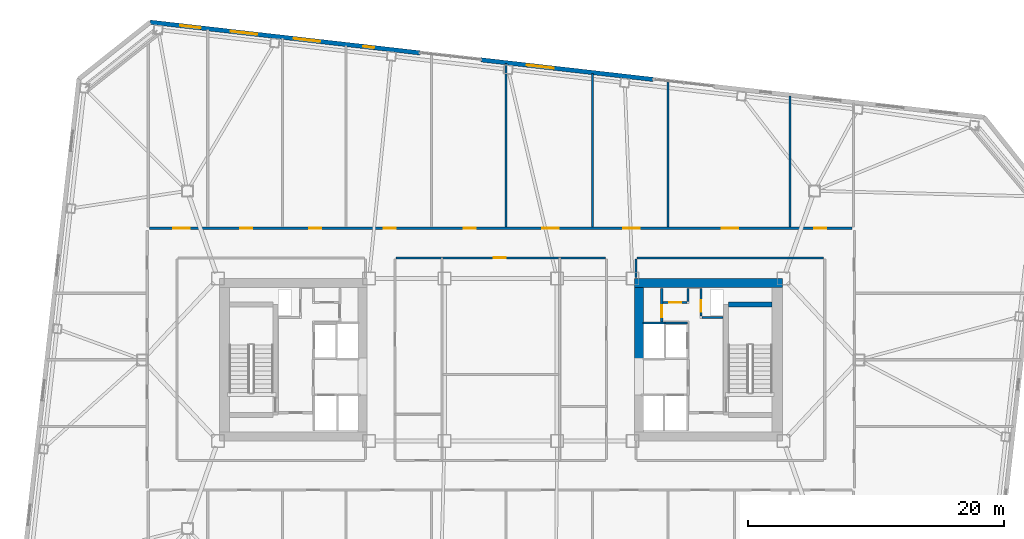
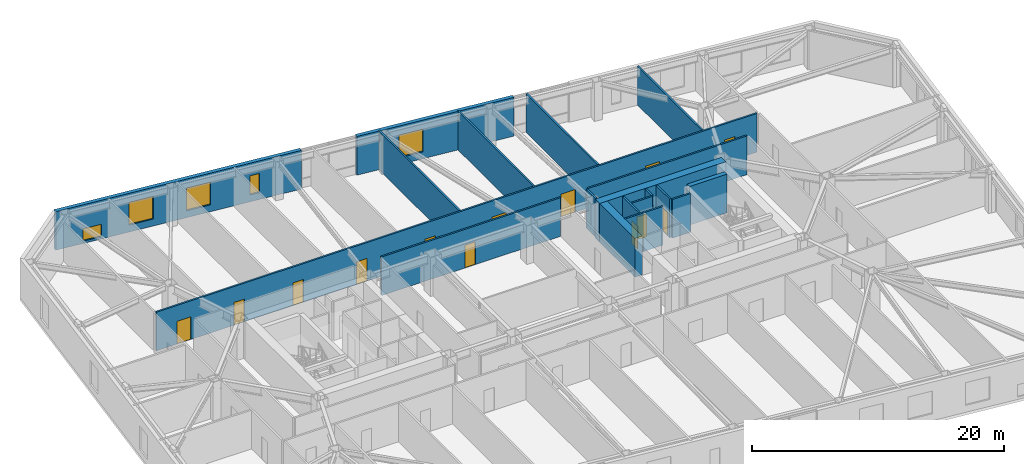
# One storey, part 14 of 21: 20 walls, 13 doors, 5 windows, 18 openings.
"""IFC4 building model written with IfcOpenShell, lengths in metres."""

from ifc_helpers import new_model, si_unit, direction, frame, frame_2d, origin, place, context, subcontext, project, spatial, rectangle, extrude, material, layer, layer_set, type_object, element, fill, save


model = new_model("IFC4")

# Units and contexts
model_context = context("Model", 3, precision=1e-05, world=origin(), true_north=direction((0.0, 1.0)))
body_context = subcontext(model_context, "Body", "Model", "MODEL_VIEW")
ifc_project = project(units=[si_unit("LENGTHUNIT", "METRE"), si_unit("AREAUNIT", "SQUARE_METRE"), si_unit("VOLUMEUNIT", "CUBIC_METRE"), si_unit("PLANEANGLEUNIT", "RADIAN"), si_unit("MASSUNIT", "GRAM", prefix="KILO")], contexts=[model_context])

# Site, building, storey
site_placement = place(None, origin())
site = spatial("IfcSite", under=ifc_project, at=site_placement, CompositionType="ELEMENT")
building_placement = place(site_placement, origin())
building = spatial("IfcBuilding", under=site, at=building_placement, Name="Tavrogorsk Clinical Tower", CompositionType="ELEMENT")
storey_placement = place(building_placement, frame((0.0, 0.0, 129.39990234375)))
storey = spatial("IfcBuildingStorey", under=building, at=storey_placement, Name="L29", CompositionType="ELEMENT", Elevation=129.39990234375)

# Wall, opening, door
ifc_material_1 = material(Name="Lightweight concrete blockwork B15", Category="masonry")
ifc_layer_1 = layer(ifc_material_1, 0.159912109375)
ifc_layer_set_1 = layer_set([ifc_layer_1], Name="Lightweight concrete blockwork B15")
wall_type_1 = type_object("IfcWallType", Name="PartitionWall_160", PredefinedType="PARTITIONING", material=ifc_layer_set_1)
wall_1_placement = place(storey_placement, frame((12.580078125, 2.9599609375, 0.0), z_axis=(0.0, 0.0, 1.0), x_axis=(0.0, 1.0, 0.0)))
wall_1 = element("IfcWall", 1, at=wall_1_placement, inside=storey, type_object=wall_type_1, Name="L29 Core East Linen Closet Wall", PredefinedType="PARTITIONING", context=body_context, shape_type="SweptSolid", body=[
    extrude(rectangle(XDim=2.60009765625, YDim=0.159912109375, at=frame_2d((1.300048828125, 0.0))), origin(), (0.0, 0.0, 1.0), 3.739990234375),
])
opening_1_placement = place(wall_1_placement, frame((0.35009765625, 0.0, 0.0)))
opening_1 = element("IfcOpeningElement", 2, at=opening_1_placement, cuts=wall_1, Name="Opening ID-02", PredefinedType="OPENING", context=body_context, shape_type="SweptSolid", body=[
    extrude(rectangle(XDim=0.949951171875, YDim=2.199951171875, at=frame_2d((0.47509765625, 1.10009765625))), frame((0.0, 0.08984375, 0.0), z_axis=(0.0, -1.0, 0.0), x_axis=(1.0, 0.0, 0.0)), (0.0, 0.0, 1.0), 0.179931640625),
])
ifc_material_2 = material(Name="Laminated timber leaf on aluminium frame", Category="wood")
door_type_1 = type_object("IfcDoorType", Name="InteriorDoor_ID02_950", OperationType="NOTDEFINED", PredefinedType="DOOR", material=ifc_material_2)
door_1_placement = place(opening_1_placement, origin())
door_1 = element("IfcDoor", 3, at=door_1_placement, inside=storey, type_object=door_type_1, Name="L29 Core East Linen Closet Door", OperationType="SINGLE_SWING_RIGHT", OverallHeight=2.199951171875, OverallWidth=0.949951171875, PredefinedType="DOOR", context=body_context, shape_type="SweptSolid", body=[
    extrude(rectangle(XDim=0.949951171875, YDim=2.199951171875, at=frame_2d((0.47509765625, 1.10009765625))), frame((0.0, 0.02490234375, 0.0), z_axis=(0.0, -1.0, 0.0), x_axis=(1.0, 0.0, 0.0)), (0.0, 0.0, 1.0), 0.050048828125),
])
fill(opening_1, door_1)

wall_2_placement = place(storey_placement, frame((12.6650390625, 4.47998046875, 0.0), z_axis=(0.0, 0.0, 1.0), x_axis=(1.0, 0.0, 0.0)))
wall_2 = element("IfcWall", 4, at=wall_2_placement, inside=storey, type_object=wall_type_1, Name="L29 Core East Housekeeping South Wall", PredefinedType="PARTITIONING", context=body_context, shape_type="SweptSolid", body=[
    extrude(rectangle(XDim=1.889892578125, YDim=0.159912109375, at=frame_2d((0.94482421875, 0.0))), origin(), (0.0, 0.0, 1.0), 3.739990234375),
])
opening_2_placement = place(wall_2_placement, frame((0.5, 0.0, 0.0)))
opening_2 = element("IfcOpeningElement", 5, at=opening_2_placement, cuts=wall_2, Name="Opening ID-02", PredefinedType="OPENING", context=body_context, shape_type="SweptSolid", body=[
    extrude(rectangle(XDim=0.949951171875, YDim=2.199951171875, at=frame_2d((0.47509765625, 1.10009765625))), frame((0.0, 0.08984375, 0.0), z_axis=(0.0, -1.0, 0.0), x_axis=(1.0, 0.0, 0.0)), (0.0, 0.0, 1.0), 0.179931640625),
])
door_2_placement = place(opening_2_placement, origin())
door_2 = element("IfcDoor", 6, at=door_2_placement, inside=storey, type_object=door_type_1, Name="L29 Core East Housekeeping Closet Door", OperationType="SINGLE_SWING_LEFT", OverallHeight=2.199951171875, OverallWidth=0.949951171875, PredefinedType="DOOR", context=body_context, shape_type="SweptSolid", body=[
    extrude(rectangle(XDim=0.949951171875, YDim=2.199951171875, at=frame_2d((0.47509765625, 1.10009765625))), frame((0.0, 0.02490234375, 0.0), z_axis=(0.0, -1.0, 0.0), x_axis=(1.0, 0.0, 0.0)), (0.0, 0.0, 1.0), 0.050048828125),
])
fill(opening_2, door_2)

# Wall
wall_3_placement = place(storey_placement, frame((14.639892578125, 4.56494140625, 0.0), z_axis=(0.0, 0.0, 1.0), x_axis=(0.0, 1.0, 0.0)))
element("IfcWall", 7, at=wall_3_placement, inside=storey, type_object=wall_type_1, Name="L29 Core East Housekeeping East Wall", PredefinedType="PARTITIONING", context=body_context, shape_type="SweptSolid", body=[
    extrude(rectangle(XDim=0.9951171875, YDim=0.159912109375, at=frame_2d((0.49755859375, 0.0))), origin(), (0.0, 0.0, 1.0), 3.739990234375),
])

# Wall, openings, doors
wall_4_placement = place(storey_placement, frame((-27.465087890625, 10.280029296875, 0.0), z_axis=(0.0, 0.0, 1.0), x_axis=(1.0, 0.0, 0.0)))
wall_4 = element("IfcWall", 8, at=wall_4_placement, inside=storey, type_object=wall_type_1, Name="L29 Corridor Partition 02", PredefinedType="PARTITIONING", context=body_context, shape_type="SweptSolid", body=[
    extrude(rectangle(XDim=54.93017578125, YDim=0.159912109375, at=frame_2d((27.465087890625, 0.0))), origin(), (0.0, 0.0, 1.0), 3.739990234375),
])
opening_3_placement = place(wall_4_placement, frame((1.869140625, 0.0, 0.0)))
opening_3 = element("IfcOpeningElement", 9, at=opening_3_placement, cuts=wall_4, Name="Opening ID-01", PredefinedType="OPENING", context=body_context, shape_type="SweptSolid", body=[
    extrude(rectangle(XDim=1.300048828125, YDim=2.199951171875, at=frame_2d((0.64990234375, 1.10009765625))), frame((0.0, 0.08984375, 0.0), z_axis=(0.0, -1.0, 0.0), x_axis=(1.0, 0.0, 0.0)), (0.0, 0.0, 1.0), 0.179931640625),
])
opening_4_placement = place(wall_4_placement, frame((7.10009765625, 0.0, 0.0)))
opening_4 = element("IfcOpeningElement", 10, at=opening_4_placement, cuts=wall_4, Name="Opening ID-02", PredefinedType="OPENING", context=body_context, shape_type="SweptSolid", body=[
    extrude(rectangle(XDim=0.949951171875, YDim=2.199951171875, at=frame_2d((0.47509765625, 1.10009765625))), frame((0.0, 0.08984375, 0.0), z_axis=(0.0, -1.0, 0.0), x_axis=(1.0, 0.0, 0.0)), (0.0, 0.0, 1.0), 0.179931640625),
])
opening_5_placement = place(wall_4_placement, frame((12.5, 0.0, 0.0)))
opening_5 = element("IfcOpeningElement", 11, at=opening_5_placement, cuts=wall_4, Name="Opening ID-02", PredefinedType="OPENING", context=body_context, shape_type="SweptSolid", body=[
    extrude(rectangle(XDim=0.949951171875, YDim=2.199951171875, at=frame_2d((0.47509765625, 1.10009765625))), frame((0.0, 0.08984375, 0.0), z_axis=(0.0, -1.0, 0.0), x_axis=(1.0, 0.0, 0.0)), (0.0, 0.0, 1.0), 0.179931640625),
])
opening_6_placement = place(wall_4_placement, frame((18.324951171875, 0.0, 0.0)))
opening_6 = element("IfcOpeningElement", 12, at=opening_6_placement, cuts=wall_4, Name="Opening ID-02", PredefinedType="OPENING", context=body_context, shape_type="SweptSolid", body=[
    extrude(rectangle(XDim=0.949951171875, YDim=2.199951171875, at=frame_2d((0.47509765625, 1.10009765625))), frame((0.0, 0.08984375, 0.0), z_axis=(0.0, -1.0, 0.0), x_axis=(1.0, 0.0, 0.0)), (0.0, 0.0, 1.0), 0.179931640625),
])
opening_7_placement = place(wall_4_placement, frame((24.574951171875, 0.0, 0.0)))
opening_7 = element("IfcOpeningElement", 13, at=opening_7_placement, cuts=wall_4, Name="Opening ID-02", PredefinedType="OPENING", context=body_context, shape_type="SweptSolid", body=[
    extrude(rectangle(XDim=0.949951171875, YDim=2.199951171875, at=frame_2d((0.47509765625, 1.10009765625))), frame((0.0, 0.08984375, 0.0), z_axis=(0.0, -1.0, 0.0), x_axis=(1.0, 0.0, 0.0)), (0.0, 0.0, 1.0), 0.179931640625),
])
opening_8_placement = place(wall_4_placement, frame((30.68994140625, 0.0, 0.0)))
opening_8 = element("IfcOpeningElement", 14, at=opening_8_placement, cuts=wall_4, Name="Opening ID-01", PredefinedType="OPENING", context=body_context, shape_type="SweptSolid", body=[
    extrude(rectangle(XDim=1.300048828125, YDim=2.199951171875, at=frame_2d((0.64990234375, 1.10009765625))), frame((0.0, 0.08984375, 0.0), z_axis=(0.0, -1.0, 0.0), x_axis=(1.0, 0.0, 0.0)), (0.0, 0.0, 1.0), 0.179931640625),
])
opening_9_placement = place(wall_4_placement, frame((37.02001953125, 0.0, 0.0)))
opening_9 = element("IfcOpeningElement", 15, at=opening_9_placement, cuts=wall_4, Name="Opening ID-01", PredefinedType="OPENING", context=body_context, shape_type="SweptSolid", body=[
    extrude(rectangle(XDim=1.300048828125, YDim=2.199951171875, at=frame_2d((0.64990234375, 1.10009765625))), frame((0.0, 0.08984375, 0.0), z_axis=(0.0, -1.0, 0.0), x_axis=(1.0, 0.0, 0.0)), (0.0, 0.0, 1.0), 0.179931640625),
])
opening_10_placement = place(wall_4_placement, frame((44.72998046875, 0.0, 0.0)))
opening_10 = element("IfcOpeningElement", 16, at=opening_10_placement, cuts=wall_4, Name="Opening ID-01", PredefinedType="OPENING", context=body_context, shape_type="SweptSolid", body=[
    extrude(rectangle(XDim=1.300048828125, YDim=2.199951171875, at=frame_2d((0.64990234375, 1.10009765625))), frame((0.0, 0.08984375, 0.0), z_axis=(0.0, -1.0, 0.0), x_axis=(1.0, 0.0, 0.0)), (0.0, 0.0, 1.0), 0.179931640625),
])
opening_11_placement = place(wall_4_placement, frame((51.955810546875, 0.0, 0.0)))
opening_11 = element("IfcOpeningElement", 17, at=opening_11_placement, cuts=wall_4, Name="Opening ID-02", PredefinedType="OPENING", context=body_context, shape_type="SweptSolid", body=[
    extrude(rectangle(XDim=0.949951171875, YDim=2.199951171875, at=frame_2d((0.47509765625, 1.10009765625))), frame((0.0, 0.08984375, 0.0), z_axis=(0.0, -1.0, 0.0), x_axis=(1.0, 0.0, 0.0)), (0.0, 0.0, 1.0), 0.179931640625),
])
door_3_placement = place(opening_4_placement, origin())
door_3 = element("IfcDoor", 18, at=door_3_placement, inside=storey, type_object=door_type_1, Name="L29 North Physician Consultation Office 02A Door", OperationType="SINGLE_SWING_RIGHT", OverallHeight=2.199951171875, OverallWidth=0.949951171875, PredefinedType="DOOR", context=body_context, shape_type="SweptSolid", body=[
    extrude(rectangle(XDim=0.949951171875, YDim=2.199951171875, at=frame_2d((0.47509765625, 1.10009765625))), frame((0.0, 0.02490234375, 0.0), z_axis=(0.0, -1.0, 0.0), x_axis=(1.0, 0.0, 0.0)), (0.0, 0.0, 1.0), 0.050048828125),
])
fill(opening_4, door_3)
door_4_placement = place(opening_5_placement, origin())
door_4 = element("IfcDoor", 19, at=door_4_placement, inside=storey, type_object=door_type_1, Name="L29 North Diagnostic Ultrasound Suite 02B Door", OperationType="SINGLE_SWING_LEFT", OverallHeight=2.199951171875, OverallWidth=0.949951171875, PredefinedType="DOOR", context=body_context, shape_type="SweptSolid", body=[
    extrude(rectangle(XDim=0.949951171875, YDim=2.199951171875, at=frame_2d((0.47509765625, 1.10009765625))), frame((0.0, 0.02490234375, 0.0), z_axis=(0.0, -1.0, 0.0), x_axis=(1.0, 0.0, 0.0)), (0.0, 0.0, 1.0), 0.050048828125),
])
fill(opening_5, door_4)
door_5_placement = place(opening_6_placement, origin())
door_5 = element("IfcDoor", 20, at=door_5_placement, inside=storey, type_object=door_type_1, Name="L29 North Patient & Family Quiet Lounge 03A Door", OperationType="SINGLE_SWING_RIGHT", OverallHeight=2.199951171875, OverallWidth=0.949951171875, PredefinedType="DOOR", context=body_context, shape_type="SweptSolid", body=[
    extrude(rectangle(XDim=0.949951171875, YDim=2.199951171875, at=frame_2d((0.47509765625, 1.10009765625))), frame((0.0, 0.02490234375, 0.0), z_axis=(0.0, -1.0, 0.0), x_axis=(1.0, 0.0, 0.0)), (0.0, 0.0, 1.0), 0.050048828125),
])
fill(opening_6, door_5)
door_6_placement = place(opening_7_placement, origin())
door_6 = element("IfcDoor", 21, at=door_6_placement, inside=storey, type_object=door_type_1, Name="L29 North Physiotherapy Rehab Studio 03B Door", OperationType="SINGLE_SWING_LEFT", OverallHeight=2.199951171875, OverallWidth=0.949951171875, PredefinedType="DOOR", context=body_context, shape_type="SweptSolid", body=[
    extrude(rectangle(XDim=0.949951171875, YDim=2.199951171875, at=frame_2d((0.47509765625, 1.10009765625))), frame((0.0, 0.02490234375, 0.0), z_axis=(0.0, -1.0, 0.0), x_axis=(1.0, 0.0, 0.0)), (0.0, 0.0, 1.0), 0.050048828125),
])
fill(opening_7, door_6)
door_7_placement = place(opening_11_placement, origin())
door_7 = element("IfcDoor", 22, at=door_7_placement, inside=storey, type_object=door_type_1, Name="L29 North Multidisciplinary Case Room 06 Door", OperationType="SINGLE_SWING_LEFT", OverallHeight=2.199951171875, OverallWidth=0.949951171875, PredefinedType="DOOR", context=body_context, shape_type="SweptSolid", body=[
    extrude(rectangle(XDim=0.949951171875, YDim=2.199951171875, at=frame_2d((0.47509765625, 1.10009765625))), frame((0.0, 0.02490234375, 0.0), z_axis=(0.0, -1.0, 0.0), x_axis=(1.0, 0.0, 0.0)), (0.0, 0.0, 1.0), 0.050048828125),
])
fill(opening_11, door_7)
ifc_material_3 = material(Name="Antibacterial HPL medical leaf on aluminium frame", Category="aluminium")
door_type_2 = type_object("IfcDoorType", Name="WardBedDoor_ID01_1300", OperationType="NOTDEFINED", PredefinedType="DOOR", material=ifc_material_3)
door_8_placement = place(opening_3_placement, origin())
door_8 = element("IfcDoor", 23, at=door_8_placement, inside=storey, type_object=door_type_2, Name="L29 North Step-Down Telemetry Ward 01 Door", OperationType="SINGLE_SWING_LEFT", OverallHeight=2.199951171875, OverallWidth=1.300048828125, PredefinedType="DOOR", context=body_context, shape_type="SweptSolid", body=[
    extrude(rectangle(XDim=1.300048828125, YDim=2.199951171875, at=frame_2d((0.64990234375, 1.10009765625))), frame((0.0, 0.02490234375, 0.0), z_axis=(0.0, -1.0, 0.0), x_axis=(1.0, 0.0, 0.0)), (0.0, 0.0, 1.0), 0.050048828125),
])
fill(opening_3, door_8)
door_9_placement = place(opening_8_placement, origin())
door_9 = element("IfcDoor", 24, at=door_9_placement, inside=storey, type_object=door_type_2, Name="L29 North Acute Isolation Suite 04A Door", OperationType="SINGLE_SWING_RIGHT", OverallHeight=2.199951171875, OverallWidth=1.300048828125, PredefinedType="DOOR", context=body_context, shape_type="SweptSolid", body=[
    extrude(rectangle(XDim=1.300048828125, YDim=2.199951171875, at=frame_2d((0.64990234375, 1.10009765625))), frame((0.0, 0.02490234375, 0.0), z_axis=(0.0, -1.0, 0.0), x_axis=(1.0, 0.0, 0.0)), (0.0, 0.0, 1.0), 0.050048828125),
])
fill(opening_8, door_9)
door_10_placement = place(opening_9_placement, origin())
door_10 = element("IfcDoor", 25, at=door_10_placement, inside=storey, type_object=door_type_2, Name="L29 North Step-Down Telemetry Ward 04B Door", OperationType="SINGLE_SWING_LEFT", OverallHeight=2.199951171875, OverallWidth=1.300048828125, PredefinedType="DOOR", context=body_context, shape_type="SweptSolid", body=[
    extrude(rectangle(XDim=1.300048828125, YDim=2.199951171875, at=frame_2d((0.64990234375, 1.10009765625))), frame((0.0, 0.02490234375, 0.0), z_axis=(0.0, -1.0, 0.0), x_axis=(1.0, 0.0, 0.0)), (0.0, 0.0, 1.0), 0.050048828125),
])
fill(opening_9, door_10)
door_11_placement = place(opening_10_placement, origin())
door_11 = element("IfcDoor", 26, at=door_11_placement, inside=storey, type_object=door_type_2, Name="L29 North Sub-Acute Recovery Ward 05 Door", OperationType="SINGLE_SWING_RIGHT", OverallHeight=2.199951171875, OverallWidth=1.300048828125, PredefinedType="DOOR", context=body_context, shape_type="SweptSolid", body=[
    extrude(rectangle(XDim=1.300048828125, YDim=2.199951171875, at=frame_2d((0.64990234375, 1.10009765625))), frame((0.0, 0.02490234375, 0.0), z_axis=(0.0, -1.0, 0.0), x_axis=(1.0, 0.0, 0.0)), (0.0, 0.0, 1.0), 0.050048828125),
])
fill(opening_10, door_11)

# Walls
wall_5_placement = place(storey_placement, frame((25.235107421875, 7.969970703125, 0.0), z_axis=(0.0, 0.0, 1.0), x_axis=(-1.0, 0.0, 0.0)))
element("IfcWall", 27, at=wall_5_placement, inside=storey, type_object=wall_type_1, Name="L29 Corridor Partition 05", PredefinedType="PARTITIONING", context=body_context, shape_type="SweptSolid", body=[
    extrude(rectangle(XDim=14.570068359375, YDim=0.159912109375, at=frame_2d((7.28515625, 0.0))), origin(), (0.0, 0.0, 1.0), 3.739990234375),
])
wall_6_placement = place(storey_placement, frame((10.580078125, 7.885009765625, 0.0), z_axis=(0.0, 0.0, 1.0), x_axis=(0.0, -1.0, 0.0)))
element("IfcWall", 28, at=wall_6_placement, inside=storey, type_object=wall_type_1, Name="L29 Corridor Partition 06", PredefinedType="PARTITIONING", context=body_context, shape_type="SweptSolid", body=[
    extrude(rectangle(XDim=1.465087890625, YDim=0.159912109375, at=frame_2d((0.732421875, 0.0))), origin(), (0.0, 0.0, 1.0), 3.739990234375),
])

# Wall, opening, door
wall_7_placement = place(storey_placement, frame((8.18505859375, 7.969970703125, 0.0), z_axis=(0.0, 0.0, 1.0), x_axis=(-1.0, 0.0, 0.0)))
wall_7 = element("IfcWall", 29, at=wall_7_placement, inside=storey, type_object=wall_type_1, Name="L29 Corridor Partition 11", PredefinedType="PARTITIONING", context=body_context, shape_type="SweptSolid", body=[
    extrude(rectangle(XDim=16.3701171875, YDim=0.159912109375, at=frame_2d((8.18505859375, 0.0))), origin(), (0.0, 0.0, 1.0), 3.739990234375),
])
opening_12_placement = place(wall_7_placement, frame((7.794921875, 0.0, 0.0)))
opening_12 = element("IfcOpeningElement", 30, at=opening_12_placement, cuts=wall_7, Name="Opening ID-02", PredefinedType="OPENING", context=body_context, shape_type="SweptSolid", body=[
    extrude(rectangle(XDim=0.949951171875, YDim=2.199951171875, at=frame_2d((0.47509765625, 1.10009765625))), frame((0.0, 0.08984375, 0.0), z_axis=(0.0, -1.0, 0.0), x_axis=(1.0, 0.0, 0.0)), (0.0, 0.0, 1.0), 0.179931640625),
])
door_12_placement = place(opening_12_placement, origin())
door_12 = element("IfcDoor", 31, at=door_12_placement, inside=storey, type_object=door_type_1, Name="L29 Nurses' Station & Triage Hub Door", OperationType="SINGLE_SWING_LEFT", OverallHeight=2.199951171875, OverallWidth=0.949951171875, PredefinedType="DOOR", context=body_context, shape_type="SweptSolid", body=[
    extrude(rectangle(XDim=0.949951171875, YDim=2.199951171875, at=frame_2d((0.47509765625, 1.10009765625))), frame((0.0, 0.02490234375, 0.0), z_axis=(0.0, -1.0, 0.0), x_axis=(1.0, 0.0, 0.0)), (0.0, 0.0, 1.0), 0.050048828125),
])
fill(opening_12, door_12)

# Walls
wall_8_placement = place(storey_placement, frame((0.39990234375, 10.364990234375, 0.0), z_axis=(0.0, 0.0, 1.0), x_axis=(0.0, 1.0, 0.0)))
element("IfcWall", 32, at=wall_8_placement, inside=storey, type_object=wall_type_1, Name="L29 North Room Partition 3", PredefinedType="PARTITIONING", context=body_context, shape_type="SweptSolid", body=[
    extrude(rectangle(XDim=12.78173828125, YDim=0.159912109375, at=frame_2d((6.390869140625, 0.0))), origin(), (0.0, 0.0, 1.0), 3.739990234375),
])
wall_9_placement = place(storey_placement, frame((13.06005859375, 10.364990234375, 0.0), z_axis=(0.0, 0.0, 1.0), x_axis=(0.0, 1.0, 0.0)))
element("IfcWall", 33, at=wall_9_placement, inside=storey, type_object=wall_type_1, Name="L29 North Room Partition 4", PredefinedType="PARTITIONING", context=body_context, shape_type="SweptSolid", body=[
    extrude(rectangle(XDim=11.33935546875, YDim=0.159912109375, at=frame_2d((5.669677734375, 0.0))), origin(), (0.0, 0.0, 1.0), 3.739990234375),
])
wall_10_placement = place(storey_placement, frame((22.60009765625, 10.364990234375, 0.0), z_axis=(0.0, 0.0, 1.0), x_axis=(0.0, 1.0, 0.0)))
element("IfcWall", 34, at=wall_10_placement, inside=storey, type_object=wall_type_1, Name="L29 North Room Partition 5", PredefinedType="PARTITIONING", context=body_context, shape_type="SweptSolid", body=[
    extrude(rectangle(XDim=10.25244140625, YDim=0.159912109375, at=frame_2d((5.126220703125, 0.0))), origin(), (0.0, 0.0, 1.0), 3.739990234375),
])
wall_11_placement = place(storey_placement, frame((7.179931640625, 10.364990234375, 0.0), z_axis=(0.0, 0.0, 1.0), x_axis=(0.0, 1.0, 0.0)))
element("IfcWall", 35, at=wall_11_placement, inside=storey, type_object=wall_type_1, Name="L29 North Sub-Partition 4", PredefinedType="PARTITIONING", context=body_context, shape_type="SweptSolid", body=[
    extrude(rectangle(XDim=12.00927734375, YDim=0.159912109375, at=frame_2d((6.004638671875, 0.0))), origin(), (0.0, 0.0, 1.0), 3.739990234375),
])

# Wall, opening, window
ifc_material_4 = material(Name="Precast concrete B45 with limestone cladding", Category="masonry")
ifc_layer_2 = layer(ifc_material_4, 0.340087890625)
ifc_layer_set_2 = layer_set([ifc_layer_2], Name="Precast concrete B45 with limestone cladding")
wall_type_2 = type_object("IfcWallType", Name="PrecastLimestoneWall_340", PredefinedType="STANDARD", material=ifc_layer_set_2)
wall_12_placement = place(storey_placement, frame((11.921875, 21.904541015625, 0.0), z_axis=(0.0, 0.0, 1.0), x_axis=(-0.993571685551, 0.11320470693, 0.0)))
wall_12 = element("IfcWall", 36, at=wall_12_placement, inside=storey, type_object=wall_type_2, Name="L29 N Limestone Facade Wall 2", PredefinedType="STANDARD", context=body_context, shape_type="SweptSolid", body=[
    extrude(rectangle(XDim=13.554443359375, YDim=0.340087890625, at=frame_2d((6.77734375, 0.0))), origin(), (0.0, 0.0, 1.0), 3.739990234375),
])
opening_13_placement = place(wall_12_placement, frame((7.837890625, 0.0, 0.669921875)))
opening_13 = element("IfcOpeningElement", 37, at=opening_13_placement, cuts=wall_12, Name="Opening WN-03", PredefinedType="OPENING", context=body_context, shape_type="SweptSolid", body=[
    extrude(rectangle(XDim=2.10009765625, YDim=2.199951171875, at=frame_2d((1.050048828125, 1.10009765625))), frame((0.0, 0.179931640625, 0.0), z_axis=(0.0, -1.0, 0.0), x_axis=(1.0, 0.0, 0.0)), (0.0, 0.0, 1.0), 0.360107421875),
])
ifc_material_5 = material(Name="Thermally broken aluminium frame and triple IGU", Category="aluminium")
window_type_1 = type_object("IfcWindowType", Name="PatientTwinWin_2100x2200", PartitioningType="DOUBLE_PANEL_VERTICAL", PredefinedType="WINDOW", material=ifc_material_5)
window_1_placement = place(opening_13_placement, origin())
window_1 = element("IfcWindow", 38, at=window_1_placement, inside=storey, type_object=window_type_1, Name="L29 N Chicago Window 05", OverallHeight=2.199951171875, OverallWidth=2.10009765625, PartitioningType="SINGLE_PANEL", PredefinedType="WINDOW", context=body_context, shape_type="SweptSolid", body=[
    extrude(rectangle(XDim=2.10009765625, YDim=2.199951171875, at=frame_2d((1.050048828125, 1.10009765625))), frame((0.0, 0.030029296875, 0.0), z_axis=(0.0, -1.0, 0.0), x_axis=(1.0, 0.0, 0.0)), (0.0, 0.0, 1.0), 0.06005859375),
])
fill(opening_13, window_1)

# Wall, openings, windows
wall_13_placement = place(storey_placement, frame((-6.314453125, 23.982177734375, 0.0), z_axis=(0.0, 0.0, 1.0), x_axis=(-0.993571362037, 0.113207546299, 0.0)))
wall_13 = element("IfcWall", 39, at=wall_13_placement, inside=storey, type_object=wall_type_2, Name="L29 N Limestone Facade Wall 3", PredefinedType="STANDARD", context=body_context, shape_type="SweptSolid", body=[
    extrude(rectangle(XDim=21.222900390625, YDim=0.340087890625, at=frame_2d((10.611328125, 0.0))), origin(), (0.0, 0.0, 1.0), 3.739990234375),
])
opening_14_placement = place(wall_13_placement, frame((17.264892578125, 0.0, 0.219970703125)))
opening_14 = element("IfcOpeningElement", 40, at=opening_14_placement, cuts=wall_13, Name="Opening WN-09", PredefinedType="OPENING", context=body_context, shape_type="SweptSolid", body=[
    extrude(rectangle(XDim=1.60009765625, YDim=1.199951171875, at=frame_2d((0.800048828125, 0.60009765625))), frame((0.0, 0.179931640625, 0.0), z_axis=(0.0, -1.0, 0.0), x_axis=(1.0, 0.0, 0.0)), (0.0, 0.0, 1.0), 0.360107421875),
])
opening_15_placement = place(wall_13_placement, frame((12.793701171875, 0.0, 0.669921875)))
opening_15 = element("IfcOpeningElement", 41, at=opening_15_placement, cuts=wall_13, Name="Opening WN-03", PredefinedType="OPENING", context=body_context, shape_type="SweptSolid", body=[
    extrude(rectangle(XDim=2.10009765625, YDim=2.199951171875, at=frame_2d((1.050048828125, 1.10009765625))), frame((0.0, 0.179931640625, 0.0), z_axis=(0.0, -1.0, 0.0), x_axis=(1.0, 0.0, 0.0)), (0.0, 0.0, 1.0), 0.360107421875),
])
opening_16_placement = place(wall_13_placement, frame((7.837890625, 0.0, 0.669921875)))
opening_16 = element("IfcOpeningElement", 42, at=opening_16_placement, cuts=wall_13, Name="Opening WN-03", PredefinedType="OPENING", context=body_context, shape_type="SweptSolid", body=[
    extrude(rectangle(XDim=2.10009765625, YDim=2.199951171875, at=frame_2d((1.050048828125, 1.10009765625))), frame((0.0, 0.179931640625, 0.0), z_axis=(0.0, -1.0, 0.0), x_axis=(1.0, 0.0, 0.0)), (0.0, 0.0, 1.0), 0.360107421875),
])
opening_17_placement = place(wall_13_placement, frame((3.616455078125, 0.0, 0.669921875)))
opening_17 = element("IfcOpeningElement", 43, at=opening_17_placement, cuts=wall_13, Name="Opening WN-06", PredefinedType="OPENING", context=body_context, shape_type="SweptSolid", body=[
    extrude(rectangle(XDim=0.85009765625, YDim=1.85009765625, at=frame_2d((0.425048828125, 0.925048828125))), frame((0.0, 0.179931640625, 0.0), z_axis=(0.0, -1.0, 0.0), x_axis=(1.0, 0.0, 0.0)), (0.0, 0.0, 1.0), 0.360107421875),
])
ifc_material_6 = material(Name="Thermally broken aluminium frame and triple IGU", Category="aluminium")
window_type_2 = type_object("IfcWindowType", Name="LowHeadTransWin_1600x1200", PartitioningType="DOUBLE_PANEL_VERTICAL", PredefinedType="WINDOW", material=ifc_material_6)
window_2_placement = place(opening_14_placement, origin())
window_2 = element("IfcWindow", 44, at=window_2_placement, inside=storey, type_object=window_type_2, Name="L29 N Chicago Window 01", OverallHeight=1.199951171875, OverallWidth=1.60009765625, PartitioningType="SINGLE_PANEL", PredefinedType="WINDOW", context=body_context, shape_type="SweptSolid", body=[
    extrude(rectangle(XDim=1.60009765625, YDim=1.199951171875, at=frame_2d((0.800048828125, 0.60009765625))), frame((0.0, 0.030029296875, 0.0), z_axis=(0.0, -1.0, 0.0), x_axis=(1.0, 0.0, 0.0)), (0.0, 0.0, 1.0), 0.06005859375),
])
fill(opening_14, window_2)
ifc_material_7 = material(Name="Thermally broken aluminium frame and triple IGU", Category="aluminium")
window_type_3 = type_object("IfcWindowType", Name="MullionSubWin_850x1850", PartitioningType="SINGLE_PANEL", PredefinedType="WINDOW", material=ifc_material_7)
window_3_placement = place(opening_17_placement, origin())
window_3 = element("IfcWindow", 45, at=window_3_placement, inside=storey, type_object=window_type_3, Name="L29 N Mullion Split Window 04A", OverallHeight=1.85009765625, OverallWidth=0.85009765625, PartitioningType="SINGLE_PANEL", PredefinedType="WINDOW", context=body_context, shape_type="SweptSolid", body=[
    extrude(rectangle(XDim=0.85009765625, YDim=1.85009765625, at=frame_2d((0.425048828125, 0.925048828125))), frame((0.0, 0.030029296875, 0.0), z_axis=(0.0, -1.0, 0.0), x_axis=(1.0, 0.0, 0.0)), (0.0, 0.0, 1.0), 0.06005859375),
])
fill(opening_17, window_3)
window_4_placement = place(opening_15_placement, origin())
window_4 = element("IfcWindow", 46, at=window_4_placement, inside=storey, type_object=window_type_1, Name="L29 N Chicago Window 02", OverallHeight=2.199951171875, OverallWidth=2.10009765625, PartitioningType="SINGLE_PANEL", PredefinedType="WINDOW", context=body_context, shape_type="SweptSolid", body=[
    extrude(rectangle(XDim=2.10009765625, YDim=2.199951171875, at=frame_2d((1.050048828125, 1.10009765625))), frame((0.0, 0.030029296875, 0.0), z_axis=(0.0, -1.0, 0.0), x_axis=(1.0, 0.0, 0.0)), (0.0, 0.0, 1.0), 0.06005859375),
])
fill(opening_15, window_4)
window_5_placement = place(opening_16_placement, origin())
window_5 = element("IfcWindow", 47, at=window_5_placement, inside=storey, type_object=window_type_1, Name="L29 N Chicago Window 03", OverallHeight=2.199951171875, OverallWidth=2.10009765625, PartitioningType="SINGLE_PANEL", PredefinedType="WINDOW", context=body_context, shape_type="SweptSolid", body=[
    extrude(rectangle(XDim=2.10009765625, YDim=2.199951171875, at=frame_2d((1.050048828125, 1.10009765625))), frame((0.0, 0.030029296875, 0.0), z_axis=(0.0, -1.0, 0.0), x_axis=(1.0, 0.0, 0.0)), (0.0, 0.0, 1.0), 0.06005859375),
])
fill(opening_16, window_5)

# Walls
ifc_material_8 = material(Name="Lightweight concrete blockwork B25", Category="masonry")
ifc_layer_3 = layer(ifc_material_8, 0.159912109375)
ifc_layer_set_3 = layer_set([ifc_layer_3], Name="Lightweight concrete blockwork B25")
wall_type_3 = type_object("IfcWallType", Name="ShaftWall_160", PredefinedType="PARTITIONING", material=ifc_layer_set_3)
wall_14_placement = place(storey_placement, frame((12.840087890625, 2.8798828125, 0.0), z_axis=(0.0, 0.0, 1.0), x_axis=(1.0, 0.0, 0.0)))
element("IfcWall", 48, at=wall_14_placement, inside=storey, type_object=wall_type_3, Name="L29 FFL-E Shaft North Wall", PredefinedType="PARTITIONING", context=body_context, shape_type="SweptSolid", body=[
    extrude(rectangle(XDim=1.760009765625, YDim=0.159912109375, at=frame_2d((0.8798828125, 0.0))), origin(), (0.0, 0.0, 1.0), 3.739990234375),
])
wall_15_placement = place(storey_placement, frame((11.10009765625, 2.860107421875, 0.0), z_axis=(0.0, 0.0, 1.0), x_axis=(1.0, 0.0, 0.0)))
element("IfcWall", 49, at=wall_15_placement, inside=storey, type_object=wall_type_3, Name="L29 LP-H2 High-Zone Lift Rear Wall", PredefinedType="PARTITIONING", context=body_context, shape_type="SweptSolid", body=[
    extrude(rectangle(XDim=1.719970703125, YDim=0.159912109375, at=frame_2d((0.85986328125, 0.0))), origin(), (0.0, 0.0, 1.0), 3.739990234375),
])

# Wall, opening, door
wall_16_placement = place(storey_placement, frame((15.639892578125, 3.405029296875, 0.0), z_axis=(0.0, 0.0, 1.0), x_axis=(0.0, 1.0, 0.0)))
wall_16 = element("IfcWall", 50, at=wall_16_placement, inside=storey, type_object=wall_type_3, Name="L29 Core East Riser West Wall", PredefinedType="PARTITIONING", context=body_context, shape_type="SweptSolid", body=[
    extrude(rectangle(XDim=2.155029296875, YDim=0.159912109375, at=frame_2d((1.07763671875, 0.0))), origin(), (0.0, 0.0, 1.0), 3.739990234375),
])
opening_18_placement = place(wall_16_placement, frame((0.35009765625, 0.0, 0.0)))
opening_18 = element("IfcOpeningElement", 51, at=opening_18_placement, cuts=wall_16, Name="Opening FD-02", PredefinedType="OPENING", context=body_context, shape_type="SweptSolid", body=[
    extrude(rectangle(XDim=0.89990234375, YDim=2.199951171875, at=frame_2d((0.449951171875, 1.10009765625))), frame((0.0, 0.08984375, 0.0), z_axis=(0.0, -1.0, 0.0), x_axis=(1.0, 0.0, 0.0)), (0.0, 0.0, 1.0), 0.179931640625),
])
ifc_material_9 = material(Name="Galvanised steel fire-rated door assembly", Category="steel")
door_type_3 = type_object("IfcDoorType", Name="FireDoor_FD02_900", OperationType="NOTDEFINED", PredefinedType="DOOR", material=ifc_material_9)
door_13_placement = place(opening_18_placement, origin())
door_13 = element("IfcDoor", 52, at=door_13_placement, inside=storey, type_object=door_type_3, Name="L29 Core East Electrical Riser Access Door", OperationType="SINGLE_SWING_RIGHT", OverallHeight=2.199951171875, OverallWidth=0.89990234375, PredefinedType="DOOR", context=body_context, shape_type="SweptSolid", body=[
    extrude(rectangle(XDim=0.89990234375, YDim=2.199951171875, at=frame_2d((0.449951171875, 1.10009765625))), frame((0.0, 0.02490234375, 0.0), z_axis=(0.0, -1.0, 0.0), x_axis=(1.0, 0.0, 0.0)), (0.0, 0.0, 1.0), 0.050048828125),
])
fill(opening_18, door_13)

# Walls
wall_17_placement = place(storey_placement, frame((15.72509765625, 3.320068359375, 0.0), z_axis=(0.0, 0.0, 1.0), x_axis=(1.0, 0.0, 0.0)))
element("IfcWall", 53, at=wall_17_placement, inside=storey, type_object=wall_type_3, Name="L29 Core East Riser South Wall", PredefinedType="PARTITIONING", context=body_context, shape_type="SweptSolid", body=[
    extrude(rectangle(XDim=1.65478515625, YDim=0.159912109375, at=frame_2d((0.827392578125, 0.0))), origin(), (0.0, 0.0, 1.0), 3.739990234375),
])
ifc_material_10 = material(Name="Concrete B80", Category="concrete")
ifc_layer_4 = layer(ifc_material_10, 0.39990234375)
ifc_layer_set_4 = layer_set([ifc_layer_4], Name="Concrete B80")
wall_type_4 = type_object("IfcWallType", Name="ShearWall_400", PredefinedType="SHEAR", material=ifc_layer_set_4)
wall_18_placement = place(storey_placement, frame((17.800048828125, 4.324951171875, 0.0), z_axis=(0.0, 0.0, 1.0), x_axis=(1.0, 0.0, 0.0)))
element("IfcWall", 54, at=wall_18_placement, inside=storey, type_object=wall_type_4, Name="L29 Core East Stair Shaft North Shear Wall", PredefinedType="SHEAR", context=body_context, shape_type="SweptSolid", body=[
    extrude(rectangle(XDim=3.39990234375, YDim=0.39990234375, at=frame_2d((1.699951171875, 0.0))), origin(), (0.0, 0.0, 1.0), 3.739990234375),
])
ifc_material_11 = material(Name="Concrete B80", Category="concrete")
ifc_layer_5 = layer(ifc_material_11, 0.699951171875)
ifc_layer_set_5 = layer_set([ifc_layer_5], Name="Concrete B80")
wall_type_5 = type_object("IfcWallType", Name="ShearWall_700", PredefinedType="SHEAR", material=ifc_layer_set_5)
wall_19_placement = place(storey_placement, frame((10.449951171875, 6.0, 0.0), z_axis=(0.0, 0.0, 1.0), x_axis=(1.0, 0.0, 0.0)))
element("IfcWall", 55, at=wall_19_placement, inside=storey, type_object=wall_type_5, Name="L29 Core East North Shear Wall", PredefinedType="SHEAR", context=body_context, shape_type="SweptSolid", body=[
    extrude(rectangle(XDim=11.550048828125, YDim=0.699951171875, at=frame_2d((5.77490234375, 0.0))), origin(), (0.0, 0.0, 1.0), 3.739990234375),
])
wall_20_placement = place(storey_placement, frame((10.800048828125, 0.050048828125, 0.0), z_axis=(0.0, 0.0, 1.0), x_axis=(0.0, 1.0, 0.0)))
element("IfcWall", 56, at=wall_20_placement, inside=storey, type_object=wall_type_5, Name="L29 Core East Inner North Pier", PredefinedType="SHEAR", context=body_context, shape_type="SweptSolid", body=[
    extrude(rectangle(XDim=5.599853515625, YDim=0.699951171875, at=frame_2d((2.7998046875, 0.0))), origin(), (0.0, 0.0, 1.0), 3.739990234375),
])

save(model, "model.ifc")
